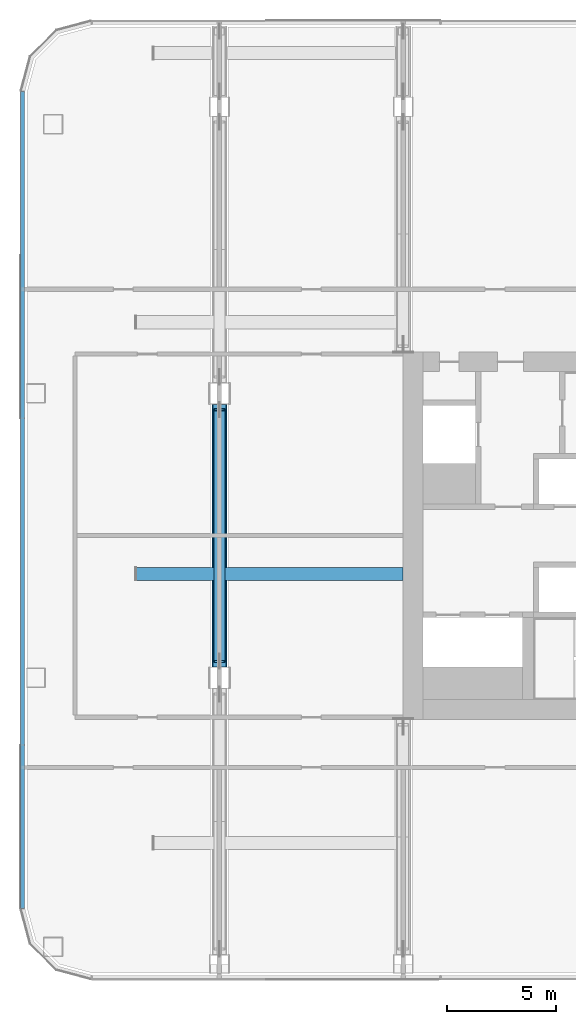
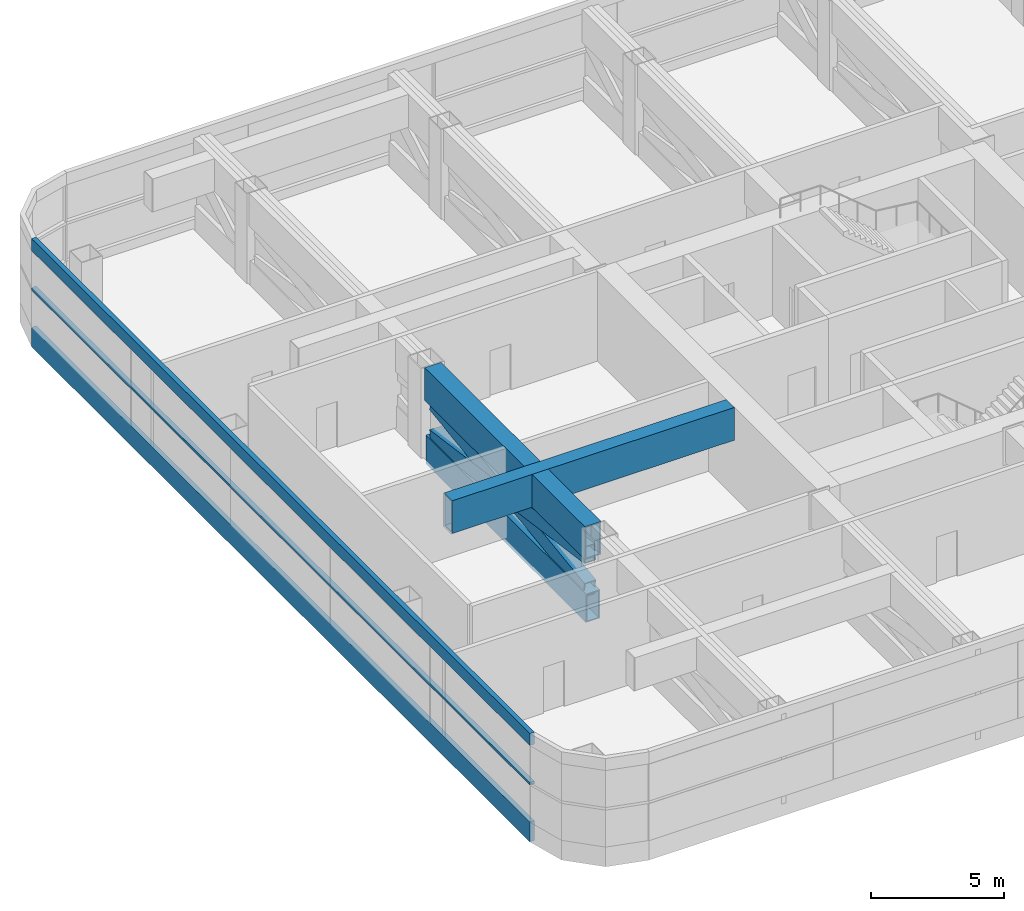
# One storey, part 3 of 30: 7 members, 1 beam, 1 element without a shape of its own.
"""IFC4 building model written with IfcOpenShell, lengths in metres."""

from ifc_helpers import new_model, si_unit, direction, frame, origin, origin_2d, place, context, subcontext, project, spatial, rectangle, hollow_rectangle, extrude, material, layer, layer_set, material_profile, profile_set, type_object, element, aggregate, save


model = new_model("IFC4")

# Units and contexts
model_context = context("Model", 3, precision=1e-05, world=origin(), true_north=direction((0.0, 1.0)))
body_context = subcontext(model_context, "Body", "Model", "MODEL_VIEW")
ifc_project = project(units=[si_unit("LENGTHUNIT", "METRE"), si_unit("AREAUNIT", "SQUARE_METRE"), si_unit("VOLUMEUNIT", "CUBIC_METRE"), si_unit("PLANEANGLEUNIT", "RADIAN"), si_unit("MASSUNIT", "GRAM", prefix="KILO")], contexts=[model_context])

# Site, building, storey
site_placement = place(None, origin())
site = spatial("IfcSite", under=ifc_project, at=site_placement, CompositionType="ELEMENT")
building_placement = place(site_placement, origin())
building = spatial("IfcBuilding", under=site, at=building_placement, Name="Hakoniwa Tower and Hamabe Station Hall", CompositionType="ELEMENT")
storey_placement = place(building_placement, frame((0.0, 0.0, 64.60009765625)))
storey = spatial("IfcBuildingStorey", under=building, at=storey_placement, Name="L18", CompositionType="ELEMENT", Elevation=64.60009765625)

# Curtain wall, members
ifc_material_1 = material(Name="Dark low-e laminated glass", Category="glass")
ifc_layer = layer(ifc_material_1, 0.199951171875)
ifc_layer_set = layer_set([ifc_layer], Name="CW-6 PLANT LOUVRE")
curtain_wall_type = type_object("IfcCurtainWallType", Name="CW-6 PLANT LOUVRE", PredefinedType="NOTDEFINED", material=ifc_layer_set)
curtain_wall_placement = place(storey_placement, origin())
curtain_wall = element("IfcCurtainWall", 1, at=curtain_wall_placement, inside=storey, type_object=curtain_wall_type, Name="CW-6 curtain wall", PredefinedType="NOTDEFINED")
ifc_material_2 = material(Name="Aluminium 6063-T5 black anodised", Category="aluminium")
ifc_material_profile_1 = material_profile(ifc_material_2, rectangle(XDim=0.199951171875, YDim=0.550048828125, at=origin_2d()), Name="CW HEAD BAND 550X200")
ifc_profile_set_1 = profile_set([ifc_material_profile_1], Name="Aluminium 6063-T5 black anodised")
member_type_1 = type_object("IfcMemberType", Name="CW HEAD BAND 550X200", PredefinedType="USERDEFINED", material=ifc_profile_set_1)
member_1_placement = place(storey_placement, frame((-51.0, 20.28955078125, 4.125), z_axis=(0.0, -1.0, 0.0), x_axis=(1.0, 0.0, 0.0)))
member_1 = element("IfcMember", 2, at=member_1_placement, type_object=member_type_1, Name="CW-6 transom", ObjectType="TRANSOM", PredefinedType="USERDEFINED", context=body_context, shape_type="SweptSolid", body=[
    extrude(rectangle(XDim=0.199951171875, YDim=0.550048828125, at=origin_2d()), origin(), (0.0, 0.0, 1.0), 37.3291015625),
])
ifc_material_3 = material(Name="Aluminium 6063-T5 black anodised", Category="aluminium")
ifc_material_profile_2 = material_profile(ifc_material_3, rectangle(XDim=0.199951171875, YDim=0.1201171875, at=origin_2d()), Name="CW MID TRANSOM 120X200")
ifc_profile_set_2 = profile_set([ifc_material_profile_2], Name="Aluminium 6063-T5 black anodised")
member_type_2 = type_object("IfcMemberType", Name="CW MID TRANSOM 120X200", PredefinedType="USERDEFINED", material=ifc_profile_set_2)
member_2_placement = place(storey_placement, frame((-51.0, 20.28955078125, 2.099853515625), z_axis=(0.0, -1.0, 0.0), x_axis=(1.0, 0.0, 0.0)))
member_2 = element("IfcMember", 3, at=member_2_placement, type_object=member_type_2, Name="CW-6 transom", ObjectType="TRANSOM", PredefinedType="USERDEFINED", context=body_context, shape_type="SweptSolid", body=[
    extrude(rectangle(XDim=0.199951171875, YDim=0.1201171875, at=origin_2d()), origin(), (0.0, 0.0, 1.0), 37.3291015625),
])
ifc_material_4 = material(Name="Aluminium 6063-T5 black anodised", Category="aluminium")
ifc_material_profile_3 = material_profile(ifc_material_4, rectangle(XDim=0.199951171875, YDim=0.89990234375, at=origin_2d()), Name="CW SLAB-EDGE BAND 900X200")
ifc_profile_set_3 = profile_set([ifc_material_profile_3], Name="Aluminium 6063-T5 black anodised")
member_type_3 = type_object("IfcMemberType", Name="CW SLAB-EDGE BAND 900X200", PredefinedType="USERDEFINED", material=ifc_profile_set_3)
member_3_placement = place(storey_placement, frame((-51.0, 20.28955078125, -0.10009765625), z_axis=(0.0, -1.0, 0.0), x_axis=(1.0, 0.0, 0.0)))
member_3 = element("IfcMember", 4, at=member_3_placement, type_object=member_type_3, Name="CW-6 transom", ObjectType="TRANSOM", PredefinedType="USERDEFINED", context=body_context, shape_type="SweptSolid", body=[
    extrude(rectangle(XDim=0.199951171875, YDim=0.89990234375, at=origin_2d()), origin(), (0.0, 0.0, 1.0), 37.3291015625),
])
aggregate(curtain_wall, [member_3, member_2, member_1])

# Beam
ifc_material_5 = material(Name="Steel SN490C", Category="steel")
ifc_material_profile_4 = material_profile(ifc_material_5, hollow_rectangle(XDim=0.60009765625, YDim=1.5, WallThickness=0.054931640625, at=origin_2d()), Name="BX-1500x600x55")
ifc_profile_set_4 = profile_set([ifc_material_profile_4], Name="Steel SN490C")
beam_type = type_object("IfcBeamType", Name="TRANSFER GIRDER BX-1500x600x55", PredefinedType="BEAM", material=ifc_profile_set_4)
beam_placement = place(storey_placement, frame((-45.800048828125, -1.75, 3.349853515625), z_axis=(1.0, 0.0, 0.0), x_axis=(0.0, 1.0, 0.0)))
element("IfcBeam", 5, at=beam_placement, inside=storey, type_object=beam_type, Name="Truss L18-XG3", PredefinedType="BEAM", context=body_context, shape_type="SweptSolid", body=[
    extrude(hollow_rectangle(XDim=0.60009765625, YDim=1.5, WallThickness=0.054931640625, at=origin_2d()), origin(), (0.0, 0.0, 1.0), 12.199951171875),
])

# Members
ifc_material_6 = material(Name="Steel SN490C", Category="steel")
ifc_material_profile_5 = material_profile(ifc_material_6, hollow_rectangle(XDim=0.60009765625, YDim=1.300048828125, WallThickness=0.050048828125, at=origin_2d()), Name="BX-1300x600x50")
ifc_profile_set_5 = profile_set([ifc_material_profile_5], Name="Steel SN490C")
member_type_4 = type_object("IfcMemberType", Name="TRUSS CHORD BX-1300x600x50", PredefinedType="CHORD", material=ifc_profile_set_5)
member_4_placement = place(storey_placement, frame((-42.0, -6.0, 0.349853515625), z_axis=(0.0, 1.0, 0.0), x_axis=(-1.0, 0.0, 0.0)))
element("IfcMember", 6, at=member_4_placement, inside=storey, type_object=member_type_4, Name="Truss T1-05-BC02", PredefinedType="CHORD", context=body_context, shape_type="SweptSolid", body=[
    extrude(hollow_rectangle(XDim=0.60009765625, YDim=1.300048828125, WallThickness=0.050048828125, at=origin_2d()), origin(), (0.0, 0.0, 1.0), 12.0),
])
ifc_material_7 = material(Name="Steel SN490C", Category="steel")
ifc_material_profile_6 = material_profile(ifc_material_7, hollow_rectangle(XDim=0.699951171875, YDim=1.5, WallThickness=0.054931640625, at=origin_2d()), Name="BX-1500x700x55")
ifc_profile_set_6 = profile_set([ifc_material_profile_6], Name="Steel SN490C")
member_type_5 = type_object("IfcMemberType", Name="TRUSS CHORD BX-1500x700x55", PredefinedType="CHORD", material=ifc_profile_set_6)
member_5_placement = place(storey_placement, frame((-42.0, -6.0, 3.349853515625), z_axis=(0.0, 1.0, 0.0), x_axis=(-1.0, 0.0, 0.0)))
element("IfcMember", 7, at=member_5_placement, inside=storey, type_object=member_type_5, Name="Truss T1-05-TC02", PredefinedType="CHORD", context=body_context, shape_type="SweptSolid", body=[
    extrude(hollow_rectangle(XDim=0.699951171875, YDim=1.5, WallThickness=0.054931640625, at=origin_2d()), origin(), (0.0, 0.0, 1.0), 12.0),
])
ifc_material_8 = material(Name="Steel SN490C", Category="steel")
ifc_material_profile_7 = material_profile(ifc_material_8, hollow_rectangle(XDim=0.5, YDim=0.699951171875, WallThickness=0.031982421875, at=origin_2d()), Name="BX-700x500x32")
ifc_profile_set_7 = profile_set([ifc_material_profile_7], Name="Steel SN490C")
member_type_6 = type_object("IfcMemberType", Name="TRUSS DIAGONAL BX-700x500x32", PredefinedType="BRACE", material=ifc_profile_set_7)
for number, where, z_axis, x_axis, name in (
    (8, (-42.0, -5.75, 1.0), (0.0, 0.990461368126, 0.137790704512), (-1.0, 0.0, 0.0), "Truss T1-05-D02a"),
    (9, (-42.0, -5.75, 2.599853515625), (0.0, 0.990461368126, -0.137790704512), (-1.0, 0.0, 0.0), "Truss T1-05-D02b"),
):
    element("IfcMember", number, at=place(storey_placement, frame(where, z_axis=z_axis, x_axis=x_axis)), inside=storey, type_object=member_type_6, Name=name, PredefinedType="BRACE", context=body_context, shape_type="SweptSolid", body=[
        extrude(hollow_rectangle(XDim=0.5, YDim=0.699951171875, WallThickness=0.031982421875, at=origin_2d()), origin(), (0.0, 0.0, 1.0), 11.61083984375),
    ])

save(model, "model.ifc")
